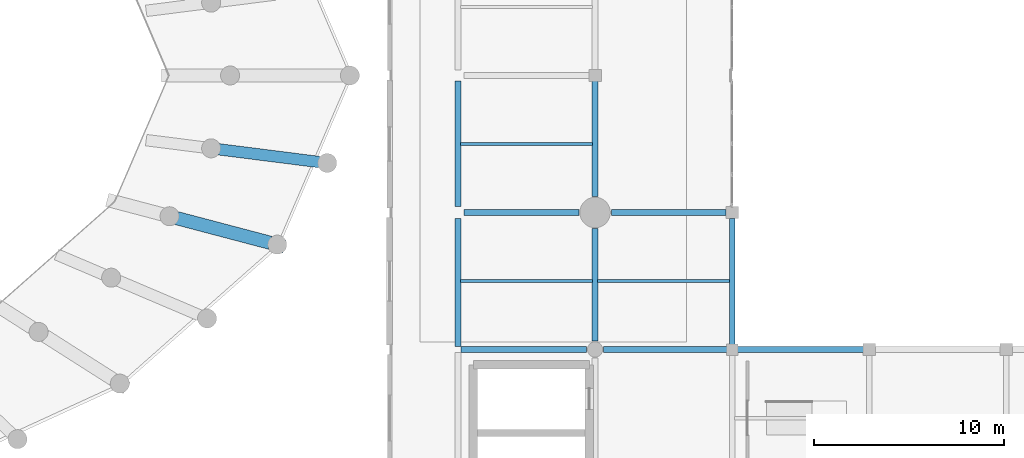
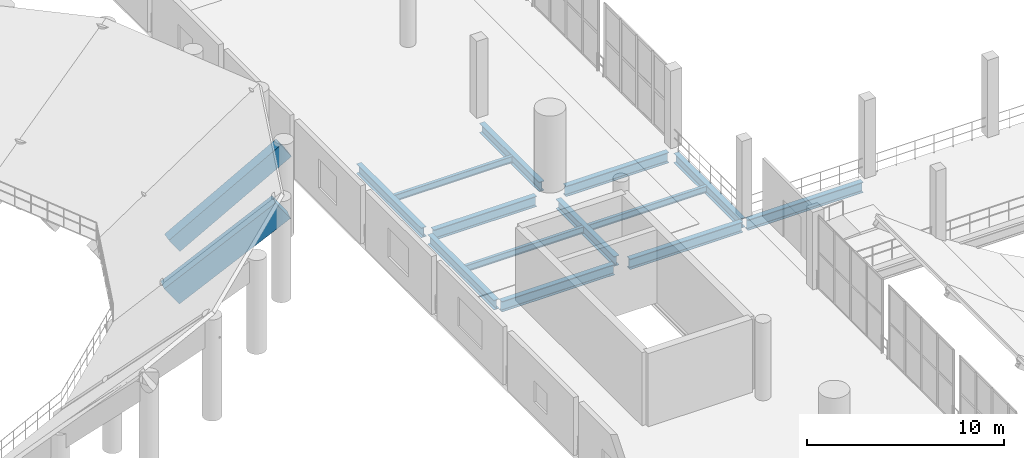
# One storey, part 33 of 105: 15 beams.
"""IFC4 building model written with IfcOpenShell, lengths in metres."""

import ifcopenshell
import ifcopenshell.guid

model = None  # the IFC model being written
_history = None  # IfcOwnerHistory: only IFC2X3 demands one
_inside = {}  # id of a spatial element -> (the spatial element, [elements in it])
_under = {}  # id of a project, library or spatial element -> (it, [spatial elements below it])
_declared = {}  # id of a project -> (the project, [libraries it declares])
_typed = {}  # id of a type object -> (the type object, [elements of that type])
_made_of = {}  # id of a material, layer set ... -> (it, [elements and type objects made of it])


def new_model(schema):
    """Start an empty IFC model of exactly this schema.

    Asked for "IFC4X3", IfcOpenShell would pick the latest addendum, in which some entities
    have other attributes; the version numbers below select the first issue.
    IFC2X3 requires an IfcOwnerHistory on every rooted entity: one is made here for all.
    """
    global model, _history
    if schema == "IFC4X3":
        model = ifcopenshell.file(schema_version=(4, 3, 0, 0))
    else:
        model = ifcopenshell.file(schema=schema)
    _inside.clear()
    _under.clear()
    _declared.clear()
    _typed.clear()
    _made_of.clear()
    _history = None
    if model.schema == "IFC2X3":
        org = make("IfcOrganization", Name="unknown")
        user = make(
            "IfcPersonAndOrganization",
            ThePerson=make("IfcPerson", FamilyName="unknown"),
            TheOrganization=org,
        )
        app = make(
            "IfcApplication",
            ApplicationDeveloper=org,
            Version="unknown",
            ApplicationFullName="unknown",
            ApplicationIdentifier="unknown",
        )
        _history = make(
            "IfcOwnerHistory",
            OwningUser=user,
            OwningApplication=app,
            ChangeAction="ADDED",
            CreationDate=0,
        )
    return model


def make(cls, **values):
    """One entity of the class cls with the attributes given. An attribute that is None is left unset."""
    return model.create_entity(
        cls, **{name: value for name, value in values.items() if value is not None}
    )


def rooted(cls, **values):
    """An entity with a GlobalId (a new one), such as an element, a storey or a relation."""
    return make(cls, GlobalId=ifcopenshell.guid.new(), OwnerHistory=_history, **values)


def si_unit(unit_type, name, prefix=None):
    """IfcSIUnit, for example si_unit("LENGTHUNIT", "METRE", prefix="MILLI")."""
    return make("IfcSIUnit", UnitType=unit_type, Prefix=prefix, Name=name)


def assignment(units):
    """IfcUnitAssignment: the units of a project."""
    return None if units is None else make("IfcUnitAssignment", Units=units)


def point(xyz):
    """IfcCartesianPoint."""
    return None if xyz is None else make("IfcCartesianPoint", Coordinates=xyz)


def direction(xyz):
    """IfcDirection."""
    return None if xyz is None else make("IfcDirection", DirectionRatios=xyz)


def frame(location, z_axis=None, x_axis=None):
    """IfcAxis2Placement3D, a coordinate frame: its origin and axes. An axis left out is left unset."""
    return make(
        "IfcAxis2Placement3D",
        Location=point(location),
        Axis=direction(z_axis),
        RefDirection=direction(x_axis),
    )


def frame_2d(location, x_axis=None):
    """IfcAxis2Placement2D, a coordinate frame in the plane: its origin and x axis."""
    return make(
        "IfcAxis2Placement2D", Location=point(location), RefDirection=direction(x_axis)
    )


def origin():
    """The frame at (0, 0, 0) with its axes left unset."""
    return frame((0.0, 0.0, 0.0))


def origin_2d():
    """The frame at (0, 0) in the plane with its x axis left unset."""
    return frame_2d((0.0, 0.0))


def place(relative_to, where):
    """IfcLocalPlacement: puts the frame where relative to a parent placement (None: the world)."""
    return make(
        "IfcLocalPlacement", PlacementRelTo=relative_to, RelativePlacement=where
    )


def context(
    kind, dimensions, precision=None, world=None, true_north=None, identifier=None
):
    """IfcGeometricRepresentationContext, for example the 3D "Model" context."""
    return make(
        "IfcGeometricRepresentationContext",
        ContextIdentifier=identifier,
        ContextType=kind,
        CoordinateSpaceDimension=dimensions,
        Precision=precision,
        WorldCoordinateSystem=world,
        TrueNorth=true_north,
    )


def subcontext(parent, identifier, kind, view, scale=None):
    """IfcGeometricRepresentationSubContext, for example "Body" below "Model"."""
    return make(
        "IfcGeometricRepresentationSubContext",
        ContextIdentifier=identifier,
        ContextType=kind,
        ParentContext=parent,
        TargetScale=scale,
        TargetView=view,
    )


def project(units=None, contexts=None):
    """IfcProject with its units and contexts."""
    return rooted(
        "IfcProject",
        Name="project",
        RepresentationContexts=contexts,
        UnitsInContext=assignment(units),
    )


def spatial(cls, under=None, at=None, **own):
    """A site, building, storey or space (cls), placed at a placement, below another one or the project."""
    s = rooted(cls, ObjectPlacement=at, **own)
    if under is not None:
        _under.setdefault(under.id(), (under, []))[1].append(s)
    return s


def profile(cls, at=None, kind="AREA", **sizes):
    """A parametric profile (cls). Its sizes go by their IFC names, for example OverallWidth=200.0."""
    return make(cls, ProfileType=kind, Position=at, **sizes)


def rectangle(**sizes):
    """IfcRectangleProfileDef."""
    return profile("IfcRectangleProfileDef", **sizes)


def i_section(**sizes):
    """IfcIShapeProfileDef."""
    return profile("IfcIShapeProfileDef", **sizes)


def extrude(swept, where, along, depth):
    """IfcExtrudedAreaSolid: the profile swept, set in the frame where, extruded along a direction by depth."""
    return make(
        "IfcExtrudedAreaSolid",
        SweptArea=swept,
        Position=where,
        ExtrudedDirection=direction(along),
        Depth=depth,
    )


def shape(context_of_items, identifier, shape_type, items):
    """IfcShapeRepresentation: the items that make up one representation, for example the "Body"."""
    return make(
        "IfcShapeRepresentation",
        ContextOfItems=context_of_items,
        RepresentationIdentifier=identifier,
        RepresentationType=shape_type,
        Items=items,
    )


def material(Name=None, Category=None):
    """IfcMaterial."""
    return make("IfcMaterial", Name=Name, Category=Category)


def material_profile(
    of_material, cross_section, Name=None, Category=None, Priority=None
):
    """IfcMaterialProfile: a cross section and its material."""
    return make(
        "IfcMaterialProfile",
        Name=Name,
        Material=of_material,
        Profile=cross_section,
        Priority=Priority,
        Category=Category,
    )


def profile_set(profiles, Name=None, composite=None):
    """IfcMaterialProfileSet."""
    return make(
        "IfcMaterialProfileSet",
        Name=Name,
        MaterialProfiles=profiles,
        CompositeProfile=composite,
    )


def made_of(thing, what):
    """Note that an element or type object is made of a material, layer set ...; save() writes the relation."""
    if what is not None:
        _made_of.setdefault(what.id(), (what, []))[1].append(thing)
    return thing


def type_object(cls, material=None, **own):
    """A type object (cls), such as IfcWallType, which elements share."""
    return made_of(rooted(cls, **own), material)


def element(
    cls,
    number,
    at=None,
    inside=None,
    cuts=None,
    type_object=None,
    material=None,
    context=None,
    identifier="Body",
    shape_type=None,
    held_by="IfcProductDefinitionShape",
    body=None,
    shapes=None,
    **own,
):
    """One element of the class cls, such as IfcWall. Its Tag is "e" and its number.

    at: its placement. inside: the storey or other place that contains it. cuts: it is an
    opening in that element (IfcRelVoidsElement). A single representation is given by context,
    identifier, shape_type and body (its items); several are given by shapes. held_by: the class
    of the entity that holds the representations. save() writes the other relations.
    """
    e = rooted(cls, Tag="e%d" % number, ObjectPlacement=at, **own)
    if body is not None:
        shapes = [shape(context, identifier, shape_type, body)]
    if shapes is not None:
        e.Representation = make(held_by, Representations=shapes)
    if inside is not None:
        _inside.setdefault(inside.id(), (inside, []))[1].append(e)
    if cuts is not None:
        rooted(
            "IfcRelVoidsElement", RelatingBuildingElement=cuts, RelatedOpeningElement=e
        )
    if type_object is not None:
        _typed.setdefault(type_object.id(), (type_object, []))[1].append(e)
    return made_of(e, material)


def aggregate(whole, parts):
    """IfcRelAggregates: a whole, such as a stair, and the parts it consists of."""
    return rooted("IfcRelAggregates", RelatingObject=whole, RelatedObjects=parts)


def save(model, path):
    """Write the relations noted so far, then the file.

    IfcRelAggregates (storeys below a building ...), IfcRelContainedInSpatialStructure (elements
    in a storey), IfcRelDefinesByType, IfcRelAssociatesMaterial and IfcRelDeclares: one each for
    every whole, place, type object, material and project.
    """
    for whole, parts in _under.values():
        aggregate(whole, parts)
    for where, things in _inside.values():
        rooted(
            "IfcRelContainedInSpatialStructure",
            RelatedElements=things,
            RelatingStructure=where,
        )
    for kind, things in _typed.values():
        rooted("IfcRelDefinesByType", RelatedObjects=things, RelatingType=kind)
    for what, things in _made_of.values():
        rooted("IfcRelAssociatesMaterial", RelatedObjects=things, RelatingMaterial=what)
    for by, libraries in _declared.values():
        rooted("IfcRelDeclares", RelatingContext=by, RelatedDefinitions=libraries)
    model.write(path)


model = new_model("IFC4")

# Units and contexts
model_context = context("Model", 3, precision=1e-05, world=origin(), true_north=direction((0.0, 1.0)))
body_context = subcontext(model_context, "Body", "Model", "MODEL_VIEW")
ifc_project = project(units=[si_unit("LENGTHUNIT", "METRE"), si_unit("AREAUNIT", "SQUARE_METRE"), si_unit("VOLUMEUNIT", "CUBIC_METRE"), si_unit("PLANEANGLEUNIT", "RADIAN"), si_unit("MASSUNIT", "GRAM", prefix="KILO")], contexts=[model_context])

# Site, building, storey
site_placement = place(None, origin())
site = spatial("IfcSite", under=ifc_project, at=site_placement, CompositionType="ELEMENT")
building_placement = place(site_placement, origin())
building = spatial("IfcBuilding", under=site, at=building_placement, Name="Qandorah Velis Arena", CompositionType="ELEMENT")
storey_placement = place(building_placement, frame((0.0, 0.0, 13.800048828125)))
storey = spatial("IfcBuildingStorey", under=building, at=storey_placement, Name="L03", CompositionType="ELEMENT", Elevation=13.800048828125)

# Beams
ifc_material_1 = material(Name="Steel S355", Category="steel")
ifc_material_profile_1 = material_profile(ifc_material_1, i_section(OverallWidth=0.300048828125, OverallDepth=0.60009765625, WebThickness=0.015380859375, FlangeThickness=0.030029296875, FilletRadius=0.027099609375, at=origin_2d()), Name="HEB 600")
ifc_profile_set_1 = profile_set([ifc_material_profile_1], Name="Steel S355")
beam_type_1 = type_object("IfcBeamType", Name="STR-BM-HEB600", PredefinedType="BEAM", material=ifc_profile_set_1)
beam_1_placement = place(storey_placement, frame((108.0, 50.550048828125, -0.6201171875), z_axis=(0.0, 1.0, 0.0), x_axis=(-1.0, 0.0, 0.0)))
element("IfcBeam", 1, at=beam_1_placement, inside=storey, type_object=beam_type_1, Name="Primary floor girder L03 Y-288", PredefinedType="BEAM", context=body_context, shape_type="SweptSolid", body=[
    extrude(i_section(OverallWidth=0.300048828125, OverallDepth=0.60009765625, WebThickness=0.015380859375, FlangeThickness=0.030029296875, FilletRadius=0.027099609375, at=origin_2d()), origin(), (0.0, 0.0, 1.0), 6.724853515625),
])
beam_2_placement = place(storey_placement, frame((108.0, 57.925048828125, -0.6201171875), z_axis=(0.0, 1.0, 0.0), x_axis=(-1.0, 0.0, 0.0)))
element("IfcBeam", 2, at=beam_2_placement, inside=storey, type_object=beam_type_1, Name="Primary floor girder L03 Y-289", PredefinedType="BEAM", context=body_context, shape_type="SweptSolid", body=[
    extrude(i_section(OverallWidth=0.300048828125, OverallDepth=0.60009765625, WebThickness=0.015380859375, FlangeThickness=0.030029296875, FilletRadius=0.027099609375, at=origin_2d()), origin(), (0.0, 0.0, 1.0), 6.574951171875),
])
beam_3_placement = place(storey_placement, frame((115.199951171875, 50.85009765625, -0.6201171875), z_axis=(0.0, 1.0, 0.0), x_axis=(-1.0, 0.0, 0.0)))
element("IfcBeam", 3, at=beam_3_placement, inside=storey, type_object=beam_type_1, Name="Primary floor girder L03 Y-305", PredefinedType="BEAM", context=body_context, shape_type="SweptSolid", body=[
    extrude(i_section(OverallWidth=0.300048828125, OverallDepth=0.60009765625, WebThickness=0.015380859375, FlangeThickness=0.030029296875, FilletRadius=0.027099609375, at=origin_2d()), origin(), (0.0, 0.0, 1.0), 5.89990234375),
])
beam_4_placement = place(storey_placement, frame((115.199951171875, 58.449951171875, -0.6201171875), z_axis=(0.0, 1.0, 0.0), x_axis=(-1.0, 0.0, 0.0)))
element("IfcBeam", 4, at=beam_4_placement, inside=storey, type_object=beam_type_1, Name="Primary floor girder L03 Y-306", PredefinedType="BEAM", context=body_context, shape_type="SweptSolid", body=[
    extrude(i_section(OverallWidth=0.300048828125, OverallDepth=0.60009765625, WebThickness=0.015380859375, FlangeThickness=0.030029296875, FilletRadius=0.027099609375, at=origin_2d()), origin(), (0.0, 0.0, 1.0), 6.050048828125),
])
beam_5_placement = place(storey_placement, frame((122.39990234375, 50.550048828125, -0.6201171875), z_axis=(0.0, 1.0, 0.0), x_axis=(-1.0, 0.0, 0.0)))
element("IfcBeam", 5, at=beam_5_placement, inside=storey, type_object=beam_type_1, Name="Primary floor girder L03 Y-319", PredefinedType="BEAM", context=body_context, shape_type="SweptSolid", body=[
    extrude(i_section(OverallWidth=0.300048828125, OverallDepth=0.60009765625, WebThickness=0.015380859375, FlangeThickness=0.030029296875, FilletRadius=0.027099609375, at=origin_2d()), origin(), (0.0, 0.0, 1.0), 6.724853515625),
])
ifc_material_profile_2 = material_profile(ifc_material_1, i_section(OverallWidth=0.300048828125, OverallDepth=0.64990234375, WebThickness=0.01611328125, FlangeThickness=0.031005859375, FilletRadius=0.027099609375, at=origin_2d()), Name="HEB 650")
ifc_profile_set_2 = profile_set([ifc_material_profile_2], Name="Steel S355")
beam_type_2 = type_object("IfcBeamType", Name="STR-BM-HEB650", PredefinedType="BEAM", material=ifc_profile_set_2)
for number, where, z_axis, x_axis, name in (
    (6, (108.14990234375, 50.39990234375, -0.64501953125), (1.0, 0.0, 0.0), (0.0, 1.0, 0.0), "Primary floor girder L03 X-077"),
    (7, (115.64990234375, 50.39990234375, -0.64501953125), (1.0, 0.0, 0.0), (0.0, 1.0, 0.0), "Primary floor girder L03 X-078"),
):
    element("IfcBeam", number, at=place(storey_placement, frame(where, z_axis=z_axis, x_axis=x_axis)), inside=storey, type_object=beam_type_2, Name=name, PredefinedType="BEAM", context=body_context, shape_type="SweptSolid", body=[
        extrude(i_section(OverallWidth=0.300048828125, OverallDepth=0.64990234375, WebThickness=0.01611328125, FlangeThickness=0.031005859375, FilletRadius=0.027099609375, at=origin_2d()), origin(), (0.0, 0.0, 1.0), 6.60009765625),
    ])
beam_6_placement = place(storey_placement, frame((122.550048828125, 50.39990234375, -0.64501953125), z_axis=(1.0, 0.0, 0.0), x_axis=(0.0, 1.0, 0.0)))
element("IfcBeam", 8, at=beam_6_placement, inside=storey, type_object=beam_type_2, Name="Primary floor girder L03 X-079", PredefinedType="BEAM", context=body_context, shape_type="SweptSolid", body=[
    extrude(i_section(OverallWidth=0.300048828125, OverallDepth=0.64990234375, WebThickness=0.01611328125, FlangeThickness=0.031005859375, FilletRadius=0.027099609375, at=origin_2d()), origin(), (0.0, 0.0, 1.0), 6.75),
])
beam_7_placement = place(storey_placement, frame((108.324951171875, 57.60009765625, -0.64501953125), z_axis=(1.0, 0.0, 0.0), x_axis=(0.0, 1.0, 0.0)))
element("IfcBeam", 9, at=beam_7_placement, inside=storey, type_object=beam_type_2, Name="Primary floor girder L03 X-085", PredefinedType="BEAM", context=body_context, shape_type="SweptSolid", body=[
    extrude(i_section(OverallWidth=0.300048828125, OverallDepth=0.64990234375, WebThickness=0.01611328125, FlangeThickness=0.031005859375, FilletRadius=0.027099609375, at=origin_2d()), origin(), (0.0, 0.0, 1.0), 6.025146484375),
])
beam_8_placement = place(storey_placement, frame((116.050048828125, 57.60009765625, -0.64501953125), z_axis=(1.0, 0.0, 0.0), x_axis=(0.0, 1.0, 0.0)))
element("IfcBeam", 10, at=beam_8_placement, inside=storey, type_object=beam_type_2, Name="Primary floor girder L03 X-086", PredefinedType="BEAM", context=body_context, shape_type="SweptSolid", body=[
    extrude(i_section(OverallWidth=0.300048828125, OverallDepth=0.64990234375, WebThickness=0.01611328125, FlangeThickness=0.031005859375, FilletRadius=0.027099609375, at=origin_2d()), origin(), (0.0, 0.0, 1.0), 6.02490234375),
])
ifc_material_profile_3 = material_profile(ifc_material_1, i_section(OverallWidth=0.179931640625, OverallDepth=0.39990234375, WebThickness=0.008544921875, FlangeThickness=0.013427734375, FilletRadius=0.02099609375, at=origin_2d()), Name="IPE 400")
ifc_profile_set_3 = profile_set([ifc_material_profile_3], Name="Steel S355")
beam_type_3 = type_object("IfcBeamType", Name="STR-JST-IPE400", PredefinedType="JOIST", material=ifc_profile_set_3)
for number, where, z_axis, x_axis, name in (
    (11, (108.135009765625, 54.0, -0.52001953125), (1.0, 0.0, 0.0), (0.0, 1.0, 0.0), "Secondary floor joist L03-078"),
    (12, (108.135009765625, 61.199951171875, -0.52001953125), (1.0, 0.0, 0.0), (0.0, 1.0, 0.0), "Secondary floor joist L03-079"),
    (13, (115.3349609375, 54.0, -0.52001953125), (1.0, 0.0, 0.0), (0.0, 1.0, 0.0), "Secondary floor joist L03-090"),
):
    element("IfcBeam", number, at=place(storey_placement, frame(where, z_axis=z_axis, x_axis=x_axis)), inside=storey, type_object=beam_type_3, Name=name, PredefinedType="JOIST", context=body_context, shape_type="SweptSolid", body=[
        extrude(i_section(OverallWidth=0.179931640625, OverallDepth=0.39990234375, WebThickness=0.008544921875, FlangeThickness=0.013427734375, FilletRadius=0.02099609375, at=origin_2d()), origin(), (0.0, 0.0, 1.0), 6.929931640625),
    ])
ifc_material_2 = material(Name="Concrete C40/50", Category="concrete")
ifc_material_profile_4 = material_profile(ifc_material_2, rectangle(XDim=0.60009765625, YDim=1.050048828125, at=origin_2d()), Name="RC RAKER 600x1050")
ifc_profile_set_4 = profile_set([ifc_material_profile_4], Name="Concrete C40/50")
beam_type_4 = type_object("IfcBeamType", Name="STR-RAK-600X1050", PredefinedType="USERDEFINED", material=ifc_profile_set_4)
beam_9_placement = place(storey_placement, frame((95.02587890625, 60.9716796875, 1.40966796875), z_axis=(0.816992409893, -0.103464776853, 0.567290438954), x_axis=(0.125637572792, 0.992076206903, 0.0)))
element("IfcBeam", 14, at=beam_9_placement, inside=storey, type_object=beam_type_4, Name="Upper bowl back-span raker RB-UB16.2", ObjectType="RAKER BEAM", PredefinedType="USERDEFINED", context=body_context, shape_type="SweptSolid", body=[
    extrude(rectangle(XDim=0.60009765625, YDim=1.050048828125, at=origin_2d()), origin(), (0.0, 0.0, 1.0), 7.4658203125),
])
ifc_material_profile_5 = material_profile(ifc_material_2, rectangle(XDim=0.699951171875, YDim=1.35009765625, at=origin_2d()), Name="RC RAKER 700x1350")
ifc_profile_set_5 = profile_set([ifc_material_profile_5], Name="Concrete C40/50")
beam_type_5 = type_object("IfcBeamType", Name="STR-RAK-700X1350", PredefinedType="USERDEFINED", material=ifc_profile_set_5)
beam_10_placement = place(storey_placement, frame((92.840087890625, 57.404296875, 1.259765625), z_axis=(0.783311914802, -0.206575872595, 0.586300991805), x_axis=(0.255002570453, 0.966940375133, 0.0)))
element("IfcBeam", 15, at=beam_10_placement, inside=storey, type_object=beam_type_5, Name="Upper bowl back-span raker RB-UB16.1", ObjectType="RAKER BEAM", PredefinedType="USERDEFINED", context=body_context, shape_type="SweptSolid", body=[
    extrude(rectangle(XDim=0.699951171875, YDim=1.35009765625, at=origin_2d()), origin(), (0.0, 0.0, 1.0), 7.223388671875),
])

save(model, "model.ifc")
